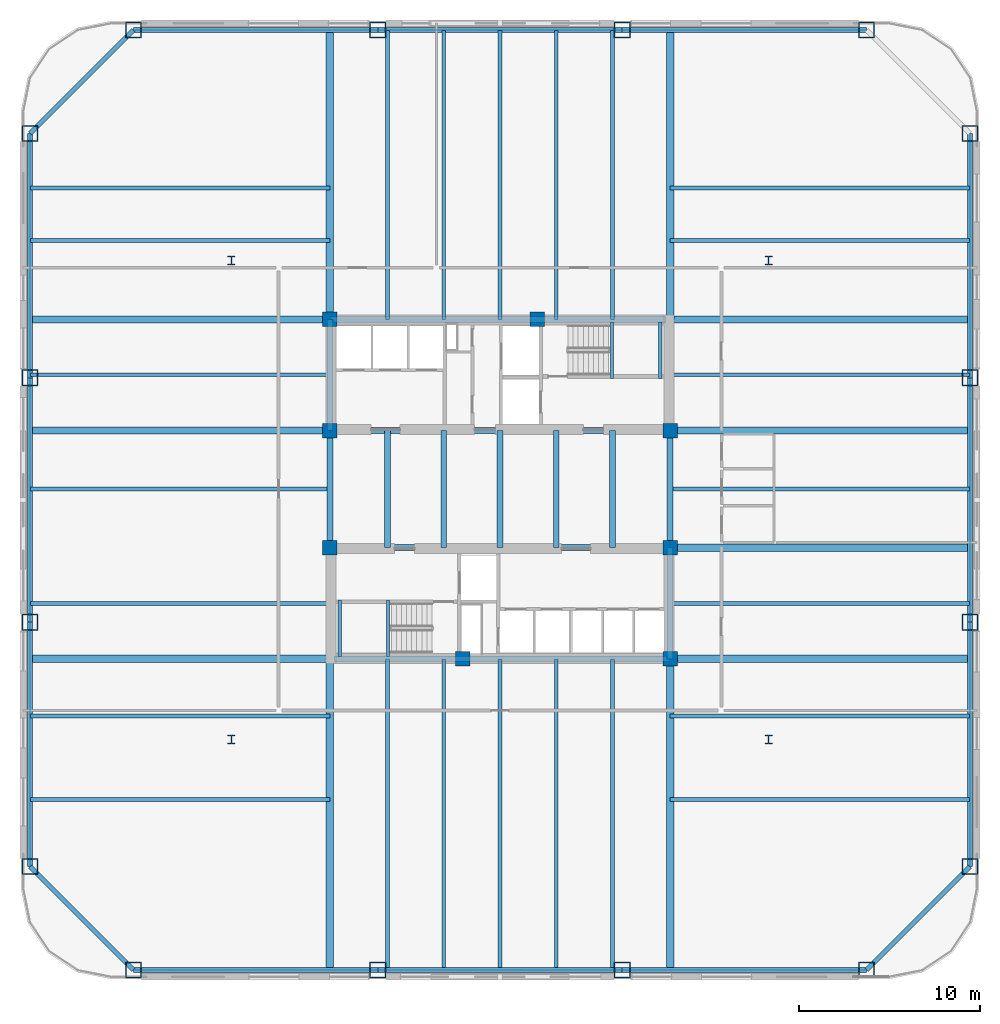
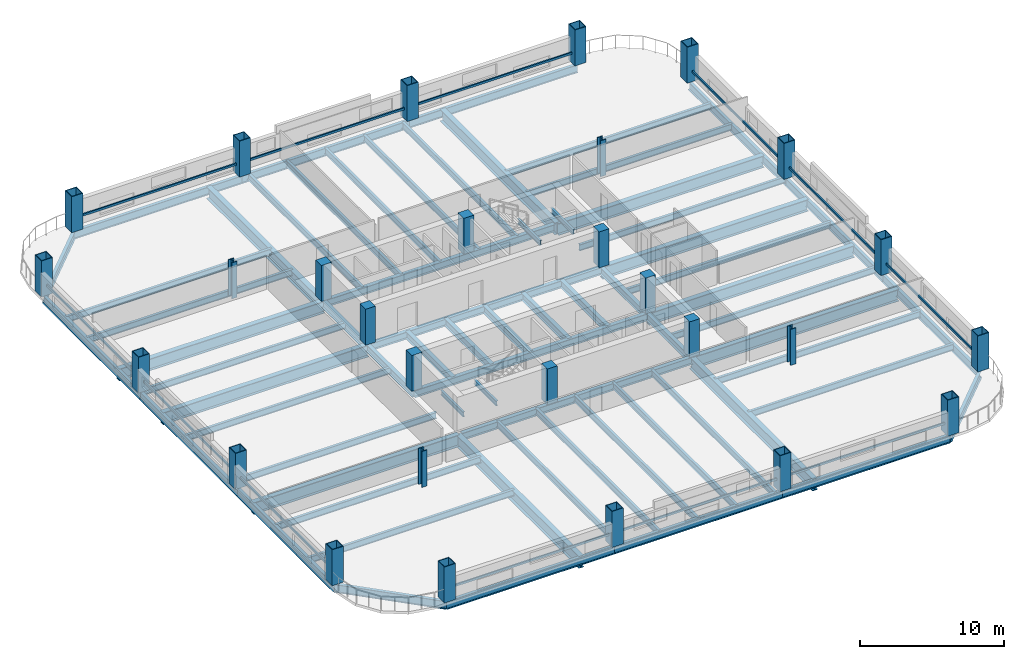
# One storey, part 1 of 11: 67 beams, 28 columns, 4 members.
"""IFC4 building model written with IfcOpenShell, lengths in metres."""

from ifc_helpers import new_model, si_unit, direction, frame, origin, origin_2d, place, context, subcontext, project, spatial, rectangle, hollow_rectangle, i_section, extrude, material, material_profile, profile_set, type_object, element, save


model = new_model("IFC4")

# Units and contexts
model_context = context("Model", 3, precision=1e-05, world=origin(), true_north=direction((0.0, 1.0)))
body_context = subcontext(model_context, "Body", "Model", "MODEL_VIEW")
ifc_project = project(units=[si_unit("LENGTHUNIT", "METRE"), si_unit("AREAUNIT", "SQUARE_METRE"), si_unit("VOLUMEUNIT", "CUBIC_METRE"), si_unit("PLANEANGLEUNIT", "RADIAN"), si_unit("MASSUNIT", "GRAM", prefix="KILO")], contexts=[model_context])

# Site, building, storey
site_placement = place(None, origin())
site = spatial("IfcSite", under=ifc_project, at=site_placement, CompositionType="ELEMENT")
building_placement = place(site_placement, origin())
building = spatial("IfcBuilding", under=site, at=building_placement, Name="Qhalaya Broadcast Tower", CompositionType="ELEMENT")
storey_placement = place(building_placement, frame((0.0, 0.0, 29.14990234375)))
storey = spatial("IfcBuildingStorey", under=building, at=storey_placement, Name="L07", CompositionType="ELEMENT", Elevation=29.14990234375)

# Columns
ifc_material_1 = material(Name="Concrete C50/60", Category="concrete")
ifc_material_profile_1 = material_profile(ifc_material_1, rectangle(XDim=0.800048828125, YDim=0.800048828125, at=origin_2d()), Name="RC-COL 800x800")
ifc_profile_set_1 = profile_set([ifc_material_profile_1], Name="Concrete C50/60")
column_type_1 = type_object("IfcColumnType", Name="RC Upper Column C10", PredefinedType="COLUMN", material=ifc_profile_set_1)
for number, where, z_axis, x_axis, name in (
    (1, (-9.375, 9.949951171875, 0.0), (0.0, 0.0, 1.0), (1.0, 0.0, 0.0), "L07 Column COL-CC1"),
    (2, (2.050048828125, 9.949951171875, 0.0), (0.0, 0.0, 1.0), (1.0, 0.0, 0.0), "L07 Column COL-CC2"),
    (3, (-9.375, 3.824951171875, 0.0), (0.0, 0.0, 1.0), (1.0, 0.0, 0.0), "L07 Column COL-CC3"),
    (4, (9.375, 3.824951171875, 0.0), (0.0, 0.0, 1.0), (1.0, 0.0, 0.0), "L07 Column COL-CC4"),
    (5, (-9.375, -2.625, 0.0), (0.0, 0.0, 1.0), (1.0, 0.0, 0.0), "L07 Column COL-CC5"),
    (6, (9.375, -2.625, 0.0), (0.0, 0.0, 1.0), (1.0, 0.0, 0.0), "L07 Column COL-CC6"),
    (7, (-2.050048828125, -8.75, 0.0), (0.0, 0.0, 1.0), (1.0, 0.0, 0.0), "L07 Column COL-CC7"),
    (8, (9.375, -8.75, 0.0), (0.0, 0.0, 1.0), (1.0, 0.0, 0.0), "L07 Column COL-CC8"),
):
    element("IfcColumn", number, at=place(storey_placement, frame(where, z_axis=z_axis, x_axis=x_axis)), inside=storey, type_object=column_type_1, Name=name, PredefinedType="COLUMN", context=body_context, shape_type="SweptSolid", body=[
        extrude(rectangle(XDim=0.800048828125, YDim=0.800048828125, at=origin_2d()), origin(), (0.0, 0.0, 1.0), 3.050048828125),
    ])
ifc_material_2 = material(Name="Structural Steel ASTM A992 Grade 50", Category="steel")
ifc_material_profile_2 = material_profile(ifc_material_2, i_section(OverallWidth=0.41796875, OverallDepth=0.510009765625, WebThickness=0.0419921875, FlangeThickness=0.067626953125, at=origin_2d()), Name="W14X370")
ifc_profile_set_2 = profile_set([ifc_material_profile_2], Name="Structural Steel ASTM A992 Grade 50")
column_type_2 = type_object("IfcColumnType", Name="Rolled Gravity Column C06", PredefinedType="COLUMN", material=ifc_profile_set_2)
for number, where, z_axis, x_axis, name in (
    (9, (-14.800048828125, -13.199951171875, 0.0), (0.0, 0.0, 1.0), (1.0, 0.0, 0.0), "L07 Column COL-GR1"),
    (10, (14.800048828125, -13.199951171875, 0.0), (0.0, 0.0, 1.0), (1.0, 0.0, 0.0), "L07 Column COL-GR2"),
    (11, (-14.800048828125, 13.199951171875, 0.0), (0.0, 0.0, 1.0), (1.0, 0.0, 0.0), "L07 Column COL-GR3"),
    (12, (14.800048828125, 13.199951171875, 0.0), (0.0, 0.0, 1.0), (1.0, 0.0, 0.0), "L07 Column COL-GR4"),
):
    element("IfcColumn", number, at=place(storey_placement, frame(where, z_axis=z_axis, x_axis=x_axis)), inside=storey, type_object=column_type_2, Name=name, PredefinedType="COLUMN", context=body_context, shape_type="SweptSolid", body=[
        extrude(i_section(OverallWidth=0.41796875, OverallDepth=0.510009765625, WebThickness=0.0419921875, FlangeThickness=0.067626953125, at=origin_2d()), origin(), (0.0, 0.0, 1.0), 3.050048828125),
    ])
ifc_material_3 = material(Name="Structural Steel ASTM A572 Grade 50", Category="steel")
ifc_material_profile_3 = material_profile(ifc_material_3, hollow_rectangle(XDim=0.89990234375, YDim=0.89990234375, WallThickness=0.054931640625, at=origin_2d()), Name="BOX 900x900x55")
ifc_profile_set_3 = profile_set([ifc_material_profile_3], Name="Structural Steel ASTM A572 Grade 50")
column_type_3 = type_object("IfcColumnType", Name="Steel Box Column C02", PredefinedType="COLUMN", material=ifc_profile_set_3)
for number, where, z_axis, x_axis, name in (
    (13, (-20.199951171875, -25.89990234375, 0.0), (0.0, 0.0, 1.0), (1.0, 0.0, 0.0), "L07 Column COL-EX01"),
    (14, (-6.7333984375, -25.89990234375, 0.0), (0.0, 0.0, 1.0), (1.0, 0.0, 0.0), "L07 Column COL-EX02"),
    (15, (6.7333984375, -25.89990234375, 0.0), (0.0, 0.0, 1.0), (1.0, 0.0, 0.0), "L07 Column COL-EX03"),
    (16, (20.199951171875, -25.89990234375, 0.0), (0.0, 0.0, 1.0), (1.0, 0.0, 0.0), "L07 Column COL-EX04"),
    (17, (25.89990234375, -20.199951171875, 0.0), (0.0, 0.0, 1.0), (0.0, 1.0, 0.0), "L07 Column COL-EX05"),
    (18, (25.89990234375, -6.7333984375, 0.0), (0.0, 0.0, 1.0), (0.0, 1.0, 0.0), "L07 Column COL-EX06"),
    (19, (25.89990234375, 6.7333984375, 0.0), (0.0, 0.0, 1.0), (0.0, 1.0, 0.0), "L07 Column COL-EX07"),
    (20, (25.89990234375, 20.199951171875, 0.0), (0.0, 0.0, 1.0), (0.0, 1.0, 0.0), "L07 Column COL-EX08"),
    (21, (20.199951171875, 25.89990234375, 0.0), (0.0, 0.0, 1.0), (1.0, 0.0, 0.0), "L07 Column COL-EX09"),
    (22, (6.7333984375, 25.89990234375, 0.0), (0.0, 0.0, 1.0), (1.0, 0.0, 0.0), "L07 Column COL-EX10"),
    (23, (-6.7333984375, 25.89990234375, 0.0), (0.0, 0.0, 1.0), (1.0, 0.0, 0.0), "L07 Column COL-EX11"),
    (24, (-20.199951171875, 25.89990234375, 0.0), (0.0, 0.0, 1.0), (1.0, 0.0, 0.0), "L07 Column COL-EX12"),
    (25, (-25.89990234375, 20.199951171875, 0.0), (0.0, 0.0, 1.0), (0.0, 1.0, 0.0), "L07 Column COL-EX13"),
    (26, (-25.89990234375, 6.7333984375, 0.0), (0.0, 0.0, 1.0), (0.0, 1.0, 0.0), "L07 Column COL-EX14"),
    (27, (-25.89990234375, -6.7333984375, 0.0), (0.0, 0.0, 1.0), (0.0, 1.0, 0.0), "L07 Column COL-EX15"),
    (28, (-25.89990234375, -20.199951171875, 0.0), (0.0, 0.0, 1.0), (0.0, 1.0, 0.0), "L07 Column COL-EX16"),
):
    element("IfcColumn", number, at=place(storey_placement, frame(where, z_axis=z_axis, x_axis=x_axis)), inside=storey, type_object=column_type_3, Name=name, PredefinedType="COLUMN", context=body_context, shape_type="SweptSolid", body=[
        extrude(hollow_rectangle(XDim=0.89990234375, YDim=0.89990234375, WallThickness=0.054931640625, at=origin_2d()), origin(), (0.0, 0.0, 1.0), 3.050048828125),
    ])

# Beams
ifc_material_profile_4 = material_profile(ifc_material_2, i_section(OverallWidth=0.2099609375, OverallDepth=0.535888671875, WebThickness=0.010986328125, FlangeThickness=0.017333984375, at=origin_2d()), Name="W21X68")
ifc_profile_set_4 = profile_set([ifc_material_profile_4], Name="Structural Steel ASTM A992 Grade 50")
beam_type_1 = type_object("IfcBeamType", Name="Composite Floor Joist J02", PredefinedType="JOIST", material=ifc_profile_set_4)
beam_1_placement = place(storey_placement, frame((-6.199951171875, -25.8798828125, -0.48779296875), z_axis=(0.0, 1.0, 0.0), x_axis=(-1.0, 0.0, 0.0)))
element("IfcBeam", 29, at=beam_1_placement, inside=storey, type_object=beam_type_1, Name="L07 J02 L07-JNS1-1", PredefinedType="JOIST", context=body_context, shape_type="SweptSolid", body=[
    extrude(i_section(OverallWidth=0.2099609375, OverallDepth=0.535888671875, WebThickness=0.010986328125, FlangeThickness=0.017333984375, at=origin_2d()), origin(), (0.0, 0.0, 1.0), 17.1298828125),
])
beam_2_placement = place(storey_placement, frame((-6.199951171875, 9.949951171875, -0.48779296875), z_axis=(0.0, 1.0, 0.0), x_axis=(-1.0, 0.0, 0.0)))
element("IfcBeam", 30, at=beam_2_placement, inside=storey, type_object=beam_type_1, Name="L07 J02 L07-JNN1-1", PredefinedType="JOIST", context=body_context, shape_type="SweptSolid", body=[
    extrude(i_section(OverallWidth=0.2099609375, OverallDepth=0.535888671875, WebThickness=0.010986328125, FlangeThickness=0.017333984375, at=origin_2d()), origin(), (0.0, 0.0, 1.0), 15.929931640625),
])
beam_3_placement = place(storey_placement, frame((-3.10009765625, -25.8798828125, -0.48779296875), z_axis=(0.0, 1.0, 0.0), x_axis=(-1.0, 0.0, 0.0)))
element("IfcBeam", 31, at=beam_3_placement, inside=storey, type_object=beam_type_1, Name="L07 J02 L07-JNS2-1", PredefinedType="JOIST", context=body_context, shape_type="SweptSolid", body=[
    extrude(i_section(OverallWidth=0.2099609375, OverallDepth=0.535888671875, WebThickness=0.010986328125, FlangeThickness=0.017333984375, at=origin_2d()), origin(), (0.0, 0.0, 1.0), 17.1298828125),
])
beam_4_placement = place(storey_placement, frame((-3.10009765625, 9.949951171875, -0.48779296875), z_axis=(0.0, 1.0, 0.0), x_axis=(-1.0, 0.0, 0.0)))
element("IfcBeam", 32, at=beam_4_placement, inside=storey, type_object=beam_type_1, Name="L07 J02 L07-JNN2-1", PredefinedType="JOIST", context=body_context, shape_type="SweptSolid", body=[
    extrude(i_section(OverallWidth=0.2099609375, OverallDepth=0.535888671875, WebThickness=0.010986328125, FlangeThickness=0.017333984375, at=origin_2d()), origin(), (0.0, 0.0, 1.0), 15.929931640625),
])
beam_5_placement = place(storey_placement, frame((0.0, -25.8798828125, -0.48779296875), z_axis=(0.0, 1.0, 0.0), x_axis=(-1.0, 0.0, 0.0)))
element("IfcBeam", 33, at=beam_5_placement, inside=storey, type_object=beam_type_1, Name="L07 J02 L07-JNS3-1", PredefinedType="JOIST", context=body_context, shape_type="SweptSolid", body=[
    extrude(i_section(OverallWidth=0.2099609375, OverallDepth=0.535888671875, WebThickness=0.010986328125, FlangeThickness=0.017333984375, at=origin_2d()), origin(), (0.0, 0.0, 1.0), 17.1298828125),
])
beam_6_placement = place(storey_placement, frame((0.0, 9.949951171875, -0.48779296875), z_axis=(0.0, 1.0, 0.0), x_axis=(-1.0, 0.0, 0.0)))
element("IfcBeam", 34, at=beam_6_placement, inside=storey, type_object=beam_type_1, Name="L07 J02 L07-JNN3-1", PredefinedType="JOIST", context=body_context, shape_type="SweptSolid", body=[
    extrude(i_section(OverallWidth=0.2099609375, OverallDepth=0.535888671875, WebThickness=0.010986328125, FlangeThickness=0.017333984375, at=origin_2d()), origin(), (0.0, 0.0, 1.0), 15.929931640625),
])
beam_7_placement = place(storey_placement, frame((3.10009765625, -25.8798828125, -0.48779296875), z_axis=(0.0, 1.0, 0.0), x_axis=(-1.0, 0.0, 0.0)))
element("IfcBeam", 35, at=beam_7_placement, inside=storey, type_object=beam_type_1, Name="L07 J02 L07-JNS4-1", PredefinedType="JOIST", context=body_context, shape_type="SweptSolid", body=[
    extrude(i_section(OverallWidth=0.2099609375, OverallDepth=0.535888671875, WebThickness=0.010986328125, FlangeThickness=0.017333984375, at=origin_2d()), origin(), (0.0, 0.0, 1.0), 17.1298828125),
])
beam_8_placement = place(storey_placement, frame((3.10009765625, 9.949951171875, -0.48779296875), z_axis=(0.0, 1.0, 0.0), x_axis=(-1.0, 0.0, 0.0)))
element("IfcBeam", 36, at=beam_8_placement, inside=storey, type_object=beam_type_1, Name="L07 J02 L07-JNN4-1", PredefinedType="JOIST", context=body_context, shape_type="SweptSolid", body=[
    extrude(i_section(OverallWidth=0.2099609375, OverallDepth=0.535888671875, WebThickness=0.010986328125, FlangeThickness=0.017333984375, at=origin_2d()), origin(), (0.0, 0.0, 1.0), 15.929931640625),
])
beam_9_placement = place(storey_placement, frame((6.199951171875, -25.8798828125, -0.48779296875), z_axis=(0.0, 1.0, 0.0), x_axis=(-1.0, 0.0, 0.0)))
element("IfcBeam", 37, at=beam_9_placement, inside=storey, type_object=beam_type_1, Name="L07 J02 L07-JNS5-1", PredefinedType="JOIST", context=body_context, shape_type="SweptSolid", body=[
    extrude(i_section(OverallWidth=0.2099609375, OverallDepth=0.535888671875, WebThickness=0.010986328125, FlangeThickness=0.017333984375, at=origin_2d()), origin(), (0.0, 0.0, 1.0), 17.1298828125),
])
beam_10_placement = place(storey_placement, frame((6.199951171875, 9.949951171875, -0.48779296875), z_axis=(0.0, 1.0, 0.0), x_axis=(-1.0, 0.0, 0.0)))
element("IfcBeam", 38, at=beam_10_placement, inside=storey, type_object=beam_type_1, Name="L07 J02 L07-JNN5-1", PredefinedType="JOIST", context=body_context, shape_type="SweptSolid", body=[
    extrude(i_section(OverallWidth=0.2099609375, OverallDepth=0.535888671875, WebThickness=0.010986328125, FlangeThickness=0.017333984375, at=origin_2d()), origin(), (0.0, 0.0, 1.0), 15.929931640625),
])
for number, where, z_axis, x_axis, name in (
    (39, (-25.8798828125, -16.5, -0.48779296875), (1.0, 0.0, 0.0), (0.0, 1.0, 0.0), "L07 J02 L07-JWE1W-1"),
    (40, (9.375, -16.5, -0.48779296875), (1.0, 0.0, 0.0), (0.0, 1.0, 0.0), "L07 J02 L07-JWE1E-1"),
    (41, (-25.8798828125, -11.89990234375, -0.48779296875), (1.0, 0.0, 0.0), (0.0, 1.0, 0.0), "L07 J02 L07-JWE2W-1"),
    (42, (9.375, -11.89990234375, -0.48779296875), (1.0, 0.0, 0.0), (0.0, 1.0, 0.0), "L07 J02 L07-JWE2E-1"),
    (43, (-25.8798828125, -5.699951171875, -0.48779296875), (1.0, 0.0, 0.0), (0.0, 1.0, 0.0), "L07 J02 L07-JWE3W-1"),
    (44, (9.375, -5.699951171875, -0.48779296875), (1.0, 0.0, 0.0), (0.0, 1.0, 0.0), "L07 J02 L07-JWE3E-1"),
    (45, (-25.8798828125, 0.60009765625, -0.48779296875), (1.0, 0.0, 0.0), (0.0, 1.0, 0.0), "L07 J02 L07-JWE4W-1"),
    (46, (9.375, 0.60009765625, -0.48779296875), (1.0, 0.0, 0.0), (0.0, 1.0, 0.0), "L07 J02 L07-JWE4E-1"),
    (47, (-25.8798828125, 6.89990234375, -0.48779296875), (1.0, 0.0, 0.0), (0.0, 1.0, 0.0), "L07 J02 L07-JWE5W-1"),
    (48, (9.375, 6.89990234375, -0.48779296875), (1.0, 0.0, 0.0), (0.0, 1.0, 0.0), "L07 J02 L07-JWE5E-1"),
    (49, (-25.8798828125, 14.300048828125, -0.48779296875), (1.0, 0.0, 0.0), (0.0, 1.0, 0.0), "L07 J02 L07-JWE6W-1"),
    (50, (9.375, 14.300048828125, -0.48779296875), (1.0, 0.0, 0.0), (0.0, 1.0, 0.0), "L07 J02 L07-JWE6E-1"),
    (51, (-25.8798828125, 17.199951171875, -0.48779296875), (1.0, 0.0, 0.0), (0.0, 1.0, 0.0), "L07 J02 L07-JWE7W-1"),
    (52, (9.375, 17.199951171875, -0.48779296875), (1.0, 0.0, 0.0), (0.0, 1.0, 0.0), "L07 J02 L07-JWE7E-1"),
):
    element("IfcBeam", number, at=place(storey_placement, frame(where, z_axis=z_axis, x_axis=x_axis)), inside=storey, type_object=beam_type_1, Name=name, PredefinedType="JOIST", context=body_context, shape_type="SweptSolid", body=[
        extrude(i_section(OverallWidth=0.2099609375, OverallDepth=0.535888671875, WebThickness=0.010986328125, FlangeThickness=0.017333984375, at=origin_2d()), origin(), (0.0, 0.0, 1.0), 16.5048828125),
    ])
ifc_material_profile_5 = material_profile(ifc_material_2, i_section(OverallWidth=0.323974609375, OverallDepth=0.612060546875, WebThickness=0.0126953125, FlangeThickness=0.01904296875, at=origin_2d()), Name="W24X104")
ifc_profile_set_5 = profile_set([ifc_material_profile_5], Name="Structural Steel ASTM A992 Grade 50")
beam_type_2 = type_object("IfcBeamType", Name="Core Frame Tie Beam B04", PredefinedType="BEAM", material=ifc_profile_set_5)
beam_11_placement = place(storey_placement, frame((-9.375, 3.824951171875, -0.52587890625), z_axis=(1.0, 0.0, 0.0), x_axis=(0.0, 1.0, 0.0)))
element("IfcBeam", 53, at=beam_11_placement, inside=storey, type_object=beam_type_2, Name="L07 B04 L07-CCN1", PredefinedType="BEAM", context=body_context, shape_type="SweptSolid", body=[
    extrude(i_section(OverallWidth=0.323974609375, OverallDepth=0.612060546875, WebThickness=0.0126953125, FlangeThickness=0.01904296875, at=origin_2d()), origin(), (0.0, 0.0, 1.0), 18.75),
])
beam_12_placement = place(storey_placement, frame((-9.375, 3.824951171875, -0.52587890625), z_axis=(0.0, 1.0, 0.0), x_axis=(-1.0, 0.0, 0.0)))
element("IfcBeam", 54, at=beam_12_placement, inside=storey, type_object=beam_type_2, Name="L07 B04 L07-CCN2", PredefinedType="BEAM", context=body_context, shape_type="SweptSolid", body=[
    extrude(i_section(OverallWidth=0.323974609375, OverallDepth=0.612060546875, WebThickness=0.0126953125, FlangeThickness=0.01904296875, at=origin_2d()), origin(), (0.0, 0.0, 1.0), 6.125),
])
beam_13_placement = place(storey_placement, frame((-9.375, 9.949951171875, -0.52587890625), z_axis=(1.0, 0.0, 0.0), x_axis=(0.0, 1.0, 0.0)))
element("IfcBeam", 55, at=beam_13_placement, inside=storey, type_object=beam_type_2, Name="L07 B04 L07-CCN3", PredefinedType="BEAM", context=body_context, shape_type="SweptSolid", body=[
    extrude(i_section(OverallWidth=0.323974609375, OverallDepth=0.612060546875, WebThickness=0.0126953125, FlangeThickness=0.01904296875, at=origin_2d()), origin(), (0.0, 0.0, 1.0), 18.4951171875),
])
beam_14_placement = place(storey_placement, frame((-9.375, -2.625, -0.52587890625), z_axis=(1.0, 0.0, 0.0), x_axis=(0.0, 1.0, 0.0)))
element("IfcBeam", 56, at=beam_14_placement, inside=storey, type_object=beam_type_2, Name="L07 B04 L07-CCS1", PredefinedType="BEAM", context=body_context, shape_type="SweptSolid", body=[
    extrude(i_section(OverallWidth=0.323974609375, OverallDepth=0.612060546875, WebThickness=0.0126953125, FlangeThickness=0.01904296875, at=origin_2d()), origin(), (0.0, 0.0, 1.0), 18.75),
])
beam_15_placement = place(storey_placement, frame((9.375, -8.75, -0.52587890625), z_axis=(0.0, 1.0, 0.0), x_axis=(-1.0, 0.0, 0.0)))
element("IfcBeam", 57, at=beam_15_placement, inside=storey, type_object=beam_type_2, Name="L07 B04 L07-CCS2", PredefinedType="BEAM", context=body_context, shape_type="SweptSolid", body=[
    extrude(i_section(OverallWidth=0.323974609375, OverallDepth=0.612060546875, WebThickness=0.0126953125, FlangeThickness=0.01904296875, at=origin_2d()), origin(), (0.0, 0.0, 1.0), 6.125),
])
beam_16_placement = place(storey_placement, frame((-9.1201171875, -8.75, -0.52587890625), z_axis=(1.0, 0.0, 0.0), x_axis=(0.0, 1.0, 0.0)))
element("IfcBeam", 58, at=beam_16_placement, inside=storey, type_object=beam_type_2, Name="L07 B04 L07-CCS3", PredefinedType="BEAM", context=body_context, shape_type="SweptSolid", body=[
    extrude(i_section(OverallWidth=0.323974609375, OverallDepth=0.612060546875, WebThickness=0.0126953125, FlangeThickness=0.01904296875, at=origin_2d()), origin(), (0.0, 0.0, 1.0), 18.4951171875),
])
for number, where, z_axis, x_axis, name in (
    (59, (-9.375, -2.625, -0.52587890625), (0.0, 1.0, 0.0), (-1.0, 0.0, 0.0), "L07 B04 L07-CCW"),
    (60, (9.375, -2.625, -0.52587890625), (0.0, 1.0, 0.0), (-1.0, 0.0, 0.0), "L07 B04 L07-CCE"),
    (61, (-6.199951171875, -2.625, -0.52587890625), (0.0, 1.0, 0.0), (-1.0, 0.0, 0.0), "L07 B04 L07-JC1-1"),
    (62, (-3.10009765625, -2.625, -0.52587890625), (0.0, 1.0, 0.0), (-1.0, 0.0, 0.0), "L07 B04 L07-JC2-1"),
    (63, (0.0, -2.625, -0.52587890625), (0.0, 1.0, 0.0), (-1.0, 0.0, 0.0), "L07 B04 L07-JC3-1"),
    (64, (3.10009765625, -2.625, -0.52587890625), (0.0, 1.0, 0.0), (-1.0, 0.0, 0.0), "L07 B04 L07-JC4-1"),
    (65, (6.199951171875, -2.625, -0.52587890625), (0.0, 1.0, 0.0), (-1.0, 0.0, 0.0), "L07 B04 L07-JC5-1"),
):
    element("IfcBeam", number, at=place(storey_placement, frame(where, z_axis=z_axis, x_axis=x_axis)), inside=storey, type_object=beam_type_2, Name=name, PredefinedType="BEAM", context=body_context, shape_type="SweptSolid", body=[
        extrude(i_section(OverallWidth=0.323974609375, OverallDepth=0.612060546875, WebThickness=0.0126953125, FlangeThickness=0.01904296875, at=origin_2d()), origin(), (0.0, 0.0, 1.0), 6.449951171875),
    ])

# Members
ifc_material_4 = material(Name="Fired Architectural Terracotta", Category="masonry")
ifc_material_profile_6 = material_profile(ifc_material_4, hollow_rectangle(XDim=0.110107421875, YDim=0.179931640625, WallThickness=0.01806640625, at=origin_2d()), Name="TB-BAG 110x180x18")
ifc_profile_set_6 = profile_set([ifc_material_profile_6], Name="Fired Architectural Terracotta")
member_type = type_object("IfcMemberType", Name="Fired Terracotta Facade Baguette Member TB1", PredefinedType="USERDEFINED", material=ifc_profile_set_6)
for number, where, z_axis, x_axis, name in (
    (66, (-20.199951171875, -25.89990234375, 0.84912109375), (1.0, 0.0, 0.0), (0.0, 1.0, 0.0), "L07 Terracotta Baguette Feature Rail S"),
    (67, (25.89990234375, -20.199951171875, 0.84912109375), (0.0, 1.0, 0.0), (-1.0, 0.0, 0.0), "L07 Terracotta Baguette Feature Rail E"),
    (68, (20.199951171875, 25.89990234375, 0.84912109375), (-1.0, 0.0, 0.0), (0.0, -1.0, 0.0), "L07 Terracotta Baguette Feature Rail N"),
    (69, (-25.89990234375, 20.199951171875, 0.84912109375), (0.0, -1.0, 0.0), (1.0, 0.0, 0.0), "L07 Terracotta Baguette Feature Rail W"),
):
    element("IfcMember", number, at=place(storey_placement, frame(where, z_axis=z_axis, x_axis=x_axis)), inside=storey, type_object=member_type, Name=name, ObjectType="BAGUETTE", PredefinedType="USERDEFINED", context=body_context, shape_type="SweptSolid", body=[
        extrude(hollow_rectangle(XDim=0.110107421875, YDim=0.179931640625, WallThickness=0.01806640625, at=origin_2d()), origin(), (0.0, 0.0, 1.0), 40.39990234375),
    ])

# Beams
ifc_material_profile_7 = material_profile(ifc_material_2, i_section(OverallWidth=0.40087890625, OverallDepth=1.010986328125, WebThickness=0.023681640625, FlangeThickness=0.0419921875, at=origin_2d()), Name="W40X297")
ifc_profile_set_7 = profile_set([ifc_material_profile_7], Name="Structural Steel ASTM A992 Grade 50")
beam_type_3 = type_object("IfcBeamType", Name="Lower Block Primary Girder PG2", PredefinedType="USERDEFINED", material=ifc_profile_set_7)
beam_17_placement = place(storey_placement, frame((-9.375, -25.8798828125, -0.725341796875), z_axis=(0.0, 1.0, 0.0), x_axis=(-1.0, 0.0, 0.0)))
element("IfcBeam", 70, at=beam_17_placement, inside=storey, type_object=beam_type_3, Name="L07 PG2 L07-PGXS1-1", ObjectType="GIRDER", PredefinedType="USERDEFINED", context=body_context, shape_type="SweptSolid", body=[
    extrude(i_section(OverallWidth=0.40087890625, OverallDepth=1.010986328125, WebThickness=0.023681640625, FlangeThickness=0.0419921875, at=origin_2d()), origin(), (0.0, 0.0, 1.0), 17.1298828125),
])
beam_18_placement = place(storey_placement, frame((-9.375, 9.949951171875, -0.725341796875), z_axis=(0.0, 1.0, 0.0), x_axis=(-1.0, 0.0, 0.0)))
element("IfcBeam", 71, at=beam_18_placement, inside=storey, type_object=beam_type_3, Name="L07 PG2 L07-PGXN1-1", ObjectType="GIRDER", PredefinedType="USERDEFINED", context=body_context, shape_type="SweptSolid", body=[
    extrude(i_section(OverallWidth=0.40087890625, OverallDepth=1.010986328125, WebThickness=0.023681640625, FlangeThickness=0.0419921875, at=origin_2d()), origin(), (0.0, 0.0, 1.0), 15.929931640625),
])
beam_19_placement = place(storey_placement, frame((9.375, -25.8798828125, -0.725341796875), z_axis=(0.0, 1.0, 0.0), x_axis=(-1.0, 0.0, 0.0)))
element("IfcBeam", 72, at=beam_19_placement, inside=storey, type_object=beam_type_3, Name="L07 PG2 L07-PGXS2-1", ObjectType="GIRDER", PredefinedType="USERDEFINED", context=body_context, shape_type="SweptSolid", body=[
    extrude(i_section(OverallWidth=0.40087890625, OverallDepth=1.010986328125, WebThickness=0.023681640625, FlangeThickness=0.0419921875, at=origin_2d()), origin(), (0.0, 0.0, 1.0), 17.1298828125),
])
beam_20_placement = place(storey_placement, frame((9.375, 9.949951171875, -0.725341796875), z_axis=(0.0, 1.0, 0.0), x_axis=(-1.0, 0.0, 0.0)))
element("IfcBeam", 73, at=beam_20_placement, inside=storey, type_object=beam_type_3, Name="L07 PG2 L07-PGXN2-1", ObjectType="GIRDER", PredefinedType="USERDEFINED", context=body_context, shape_type="SweptSolid", body=[
    extrude(i_section(OverallWidth=0.40087890625, OverallDepth=1.010986328125, WebThickness=0.023681640625, FlangeThickness=0.0419921875, at=origin_2d()), origin(), (0.0, 0.0, 1.0), 15.929931640625),
])
for number, where, z_axis, x_axis, name in (
    (74, (-25.8798828125, -8.75, -0.725341796875), (1.0, 0.0, 0.0), (0.0, 1.0, 0.0), "L07 PG2 L07-PGYW1-1"),
    (75, (9.375, -8.75, -0.725341796875), (1.0, 0.0, 0.0), (0.0, 1.0, 0.0), "L07 PG2 L07-PGYE1-1"),
    (76, (9.375, -2.625, -0.725341796875), (1.0, 0.0, 0.0), (0.0, 1.0, 0.0), "L07 PG2 L07-PGYE2-1"),
    (77, (-25.8798828125, 3.824951171875, -0.725341796875), (1.0, 0.0, 0.0), (0.0, 1.0, 0.0), "L07 PG2 L07-PGYW3-1"),
    (78, (9.375, 3.824951171875, -0.725341796875), (1.0, 0.0, 0.0), (0.0, 1.0, 0.0), "L07 PG2 L07-PGYE3-1"),
    (79, (-25.8798828125, 9.949951171875, -0.725341796875), (1.0, 0.0, 0.0), (0.0, 1.0, 0.0), "L07 PG2 L07-PGYW4-1"),
    (80, (9.375, 9.949951171875, -0.725341796875), (1.0, 0.0, 0.0), (0.0, 1.0, 0.0), "L07 PG2 L07-PGYE4-1"),
):
    element("IfcBeam", number, at=place(storey_placement, frame(where, z_axis=z_axis, x_axis=x_axis)), inside=storey, type_object=beam_type_3, Name=name, ObjectType="GIRDER", PredefinedType="USERDEFINED", context=body_context, shape_type="SweptSolid", body=[
        extrude(i_section(OverallWidth=0.40087890625, OverallDepth=1.010986328125, WebThickness=0.023681640625, FlangeThickness=0.0419921875, at=origin_2d()), origin(), (0.0, 0.0, 1.0), 16.5048828125),
    ])
ifc_material_profile_8 = material_profile(ifc_material_2, i_section(OverallWidth=0.25390625, OverallDepth=0.68310546875, WebThickness=0.012451171875, FlangeThickness=0.01904296875, at=origin_2d()), Name="W27X94")
ifc_profile_set_8 = profile_set([ifc_material_profile_8], Name="Structural Steel ASTM A992 Grade 50")
beam_type_4 = type_object("IfcBeamType", Name="Perimeter Ring Spandrel Beam SP1", PredefinedType="SPANDREL", material=ifc_profile_set_8)
beam_21_placement = place(storey_placement, frame((-20.199951171875, -25.89990234375, -0.5615234375), z_axis=(1.0, 0.0, 0.0), x_axis=(0.0, 1.0, 0.0)))
element("IfcBeam", 81, at=beam_21_placement, inside=storey, type_object=beam_type_4, Name="L07 SP1 L07-SPR-01", PredefinedType="SPANDREL", context=body_context, shape_type="SweptSolid", body=[
    extrude(i_section(OverallWidth=0.25390625, OverallDepth=0.68310546875, WebThickness=0.012451171875, FlangeThickness=0.01904296875, at=origin_2d()), origin(), (0.0, 0.0, 1.0), 13.466552734375),
])
beam_22_placement = place(storey_placement, frame((-6.7333984375, -25.89990234375, -0.5615234375), z_axis=(1.0, 0.0, 0.0), x_axis=(0.0, 1.0, 0.0)))
element("IfcBeam", 82, at=beam_22_placement, inside=storey, type_object=beam_type_4, Name="L07 SP1 L07-SPR-02", PredefinedType="SPANDREL", context=body_context, shape_type="SweptSolid", body=[
    extrude(i_section(OverallWidth=0.25390625, OverallDepth=0.68310546875, WebThickness=0.012451171875, FlangeThickness=0.01904296875, at=origin_2d()), origin(), (0.0, 0.0, 1.0), 13.466796875),
])
beam_23_placement = place(storey_placement, frame((6.7333984375, -25.89990234375, -0.5615234375), z_axis=(1.0, 0.0, 0.0), x_axis=(0.0, 1.0, 0.0)))
element("IfcBeam", 83, at=beam_23_placement, inside=storey, type_object=beam_type_4, Name="L07 SP1 L07-SPR-03", PredefinedType="SPANDREL", context=body_context, shape_type="SweptSolid", body=[
    extrude(i_section(OverallWidth=0.25390625, OverallDepth=0.68310546875, WebThickness=0.012451171875, FlangeThickness=0.01904296875, at=origin_2d()), origin(), (0.0, 0.0, 1.0), 13.466552734375),
])
beam_24_placement = place(storey_placement, frame((20.199951171875, -25.89990234375, -0.5615234375), z_axis=(0.707106781187, 0.707106781187, 0.0), x_axis=(-0.707106781187, 0.707106781187, 0.0)))
element("IfcBeam", 84, at=beam_24_placement, inside=storey, type_object=beam_type_4, Name="L07 SP1 L07-SPR-04", PredefinedType="SPANDREL", context=body_context, shape_type="SweptSolid", body=[
    extrude(i_section(OverallWidth=0.25390625, OverallDepth=0.68310546875, WebThickness=0.012451171875, FlangeThickness=0.01904296875, at=origin_2d()), origin(), (0.0, 0.0, 1.0), 8.06103515625),
])
beam_25_placement = place(storey_placement, frame((25.89990234375, -20.199951171875, -0.5615234375), z_axis=(0.0, 1.0, 0.0), x_axis=(-1.0, 0.0, 0.0)))
element("IfcBeam", 85, at=beam_25_placement, inside=storey, type_object=beam_type_4, Name="L07 SP1 L07-SPR-05", PredefinedType="SPANDREL", context=body_context, shape_type="SweptSolid", body=[
    extrude(i_section(OverallWidth=0.25390625, OverallDepth=0.68310546875, WebThickness=0.012451171875, FlangeThickness=0.01904296875, at=origin_2d()), origin(), (0.0, 0.0, 1.0), 13.466552734375),
])
beam_26_placement = place(storey_placement, frame((25.89990234375, -6.7333984375, -0.5615234375), z_axis=(0.0, 1.0, 0.0), x_axis=(-1.0, 0.0, 0.0)))
element("IfcBeam", 86, at=beam_26_placement, inside=storey, type_object=beam_type_4, Name="L07 SP1 L07-SPR-06", PredefinedType="SPANDREL", context=body_context, shape_type="SweptSolid", body=[
    extrude(i_section(OverallWidth=0.25390625, OverallDepth=0.68310546875, WebThickness=0.012451171875, FlangeThickness=0.01904296875, at=origin_2d()), origin(), (0.0, 0.0, 1.0), 13.466796875),
])
for number, where, z_axis, x_axis, name in (
    (87, (25.89990234375, 6.7333984375, -0.5615234375), (0.0, 1.0, 0.0), (-1.0, 0.0, 0.0), "L07 SP1 L07-SPR-07"),
    (88, (20.199951171875, 25.89990234375, -0.5615234375), (-1.0, 0.0, 0.0), (0.0, -1.0, 0.0), "L07 SP1 L07-SPR-09"),
):
    element("IfcBeam", number, at=place(storey_placement, frame(where, z_axis=z_axis, x_axis=x_axis)), inside=storey, type_object=beam_type_4, Name=name, PredefinedType="SPANDREL", context=body_context, shape_type="SweptSolid", body=[
        extrude(i_section(OverallWidth=0.25390625, OverallDepth=0.68310546875, WebThickness=0.012451171875, FlangeThickness=0.01904296875, at=origin_2d()), origin(), (0.0, 0.0, 1.0), 13.466552734375),
    ])
beam_27_placement = place(storey_placement, frame((6.7333984375, 25.89990234375, -0.5615234375), z_axis=(-1.0, 0.0, 0.0), x_axis=(0.0, -1.0, 0.0)))
element("IfcBeam", 89, at=beam_27_placement, inside=storey, type_object=beam_type_4, Name="L07 SP1 L07-SPR-10", PredefinedType="SPANDREL", context=body_context, shape_type="SweptSolid", body=[
    extrude(i_section(OverallWidth=0.25390625, OverallDepth=0.68310546875, WebThickness=0.012451171875, FlangeThickness=0.01904296875, at=origin_2d()), origin(), (0.0, 0.0, 1.0), 13.466796875),
])
beam_28_placement = place(storey_placement, frame((-6.7333984375, 25.89990234375, -0.5615234375), z_axis=(-1.0, 0.0, 0.0), x_axis=(0.0, -1.0, 0.0)))
element("IfcBeam", 90, at=beam_28_placement, inside=storey, type_object=beam_type_4, Name="L07 SP1 L07-SPR-11", PredefinedType="SPANDREL", context=body_context, shape_type="SweptSolid", body=[
    extrude(i_section(OverallWidth=0.25390625, OverallDepth=0.68310546875, WebThickness=0.012451171875, FlangeThickness=0.01904296875, at=origin_2d()), origin(), (0.0, 0.0, 1.0), 13.466552734375),
])
beam_29_placement = place(storey_placement, frame((-20.199951171875, 25.89990234375, -0.5615234375), z_axis=(-0.707106781187, -0.707106781187, 0.0), x_axis=(0.707106781187, -0.707106781187, 0.0)))
element("IfcBeam", 91, at=beam_29_placement, inside=storey, type_object=beam_type_4, Name="L07 SP1 L07-SPR-12", PredefinedType="SPANDREL", context=body_context, shape_type="SweptSolid", body=[
    extrude(i_section(OverallWidth=0.25390625, OverallDepth=0.68310546875, WebThickness=0.012451171875, FlangeThickness=0.01904296875, at=origin_2d()), origin(), (0.0, 0.0, 1.0), 8.06103515625),
])
beam_30_placement = place(storey_placement, frame((-25.89990234375, 20.199951171875, -0.5615234375), z_axis=(0.0, -1.0, 0.0), x_axis=(1.0, 0.0, 0.0)))
element("IfcBeam", 92, at=beam_30_placement, inside=storey, type_object=beam_type_4, Name="L07 SP1 L07-SPR-13", PredefinedType="SPANDREL", context=body_context, shape_type="SweptSolid", body=[
    extrude(i_section(OverallWidth=0.25390625, OverallDepth=0.68310546875, WebThickness=0.012451171875, FlangeThickness=0.01904296875, at=origin_2d()), origin(), (0.0, 0.0, 1.0), 13.466552734375),
])
beam_31_placement = place(storey_placement, frame((-25.89990234375, 6.7333984375, -0.5615234375), z_axis=(0.0, -1.0, 0.0), x_axis=(1.0, 0.0, 0.0)))
element("IfcBeam", 93, at=beam_31_placement, inside=storey, type_object=beam_type_4, Name="L07 SP1 L07-SPR-14", PredefinedType="SPANDREL", context=body_context, shape_type="SweptSolid", body=[
    extrude(i_section(OverallWidth=0.25390625, OverallDepth=0.68310546875, WebThickness=0.012451171875, FlangeThickness=0.01904296875, at=origin_2d()), origin(), (0.0, 0.0, 1.0), 13.466796875),
])
beam_32_placement = place(storey_placement, frame((-25.89990234375, -6.7333984375, -0.5615234375), z_axis=(0.0, -1.0, 0.0), x_axis=(1.0, 0.0, 0.0)))
element("IfcBeam", 94, at=beam_32_placement, inside=storey, type_object=beam_type_4, Name="L07 SP1 L07-SPR-15", PredefinedType="SPANDREL", context=body_context, shape_type="SweptSolid", body=[
    extrude(i_section(OverallWidth=0.25390625, OverallDepth=0.68310546875, WebThickness=0.012451171875, FlangeThickness=0.01904296875, at=origin_2d()), origin(), (0.0, 0.0, 1.0), 13.466552734375),
])
beam_33_placement = place(storey_placement, frame((-25.89990234375, -20.199951171875, -0.5615234375), z_axis=(0.707106781187, -0.707106781187, 0.0), x_axis=(0.707106781187, 0.707106781187, 0.0)))
element("IfcBeam", 95, at=beam_33_placement, inside=storey, type_object=beam_type_4, Name="L07 SP1 L07-SPR-16", PredefinedType="SPANDREL", context=body_context, shape_type="SweptSolid", body=[
    extrude(i_section(OverallWidth=0.25390625, OverallDepth=0.68310546875, WebThickness=0.012451171875, FlangeThickness=0.01904296875, at=origin_2d()), origin(), (0.0, 0.0, 1.0), 8.06103515625),
])
ifc_material_profile_9 = material_profile(ifc_material_2, i_section(OverallWidth=0.177978515625, OverallDepth=0.406005859375, WebThickness=0.0078125, FlangeThickness=0.0126953125, at=origin_2d()), Name="W16X40")
ifc_profile_set_9 = profile_set([ifc_material_profile_9], Name="Structural Steel ASTM A992 Grade 50")
beam_type_5 = type_object("IfcBeamType", Name="Upper Perimeter Spandrel Beam SP2", PredefinedType="SPANDREL", material=ifc_profile_set_9)
for number, where, z_axis, x_axis, name in (
    (96, (6.175048828125, 6.699951171875, 1.1220703125), (0.0, 1.0, 0.0), (-1.0, 0.0, 0.0), "L07 ST-1 Half-Landing Bearer Beam 1"),
    (97, (8.830078125, 6.699951171875, 1.1220703125), (0.0, 1.0, 0.0), (-1.0, 0.0, 0.0), "L07 ST-1 Half-Landing Bearer Beam 2"),
    (98, (-8.830078125, -8.6201171875, 1.1220703125), (0.0, 1.0, 0.0), (-1.0, 0.0, 0.0), "L07 ST-2 Half-Landing Bearer Beam 1"),
    (99, (-6.175048828125, -8.6201171875, 1.1220703125), (0.0, 1.0, 0.0), (-1.0, 0.0, 0.0), "L07 ST-2 Half-Landing Bearer Beam 2"),
):
    element("IfcBeam", number, at=place(storey_placement, frame(where, z_axis=z_axis, x_axis=x_axis)), inside=storey, type_object=beam_type_5, Name=name, PredefinedType="SPANDREL", context=body_context, shape_type="SweptSolid", body=[
        extrude(i_section(OverallWidth=0.177978515625, OverallDepth=0.406005859375, WebThickness=0.0078125, FlangeThickness=0.0126953125, at=origin_2d()), origin(), (0.0, 0.0, 1.0), 3.1201171875),
    ])

save(model, "model.ifc")
